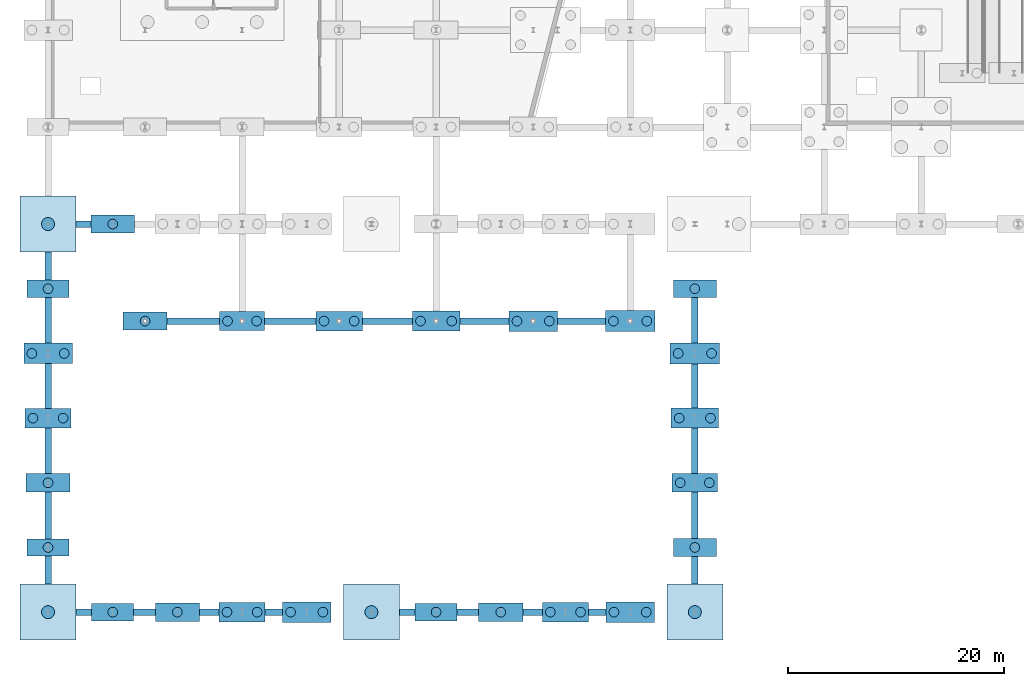
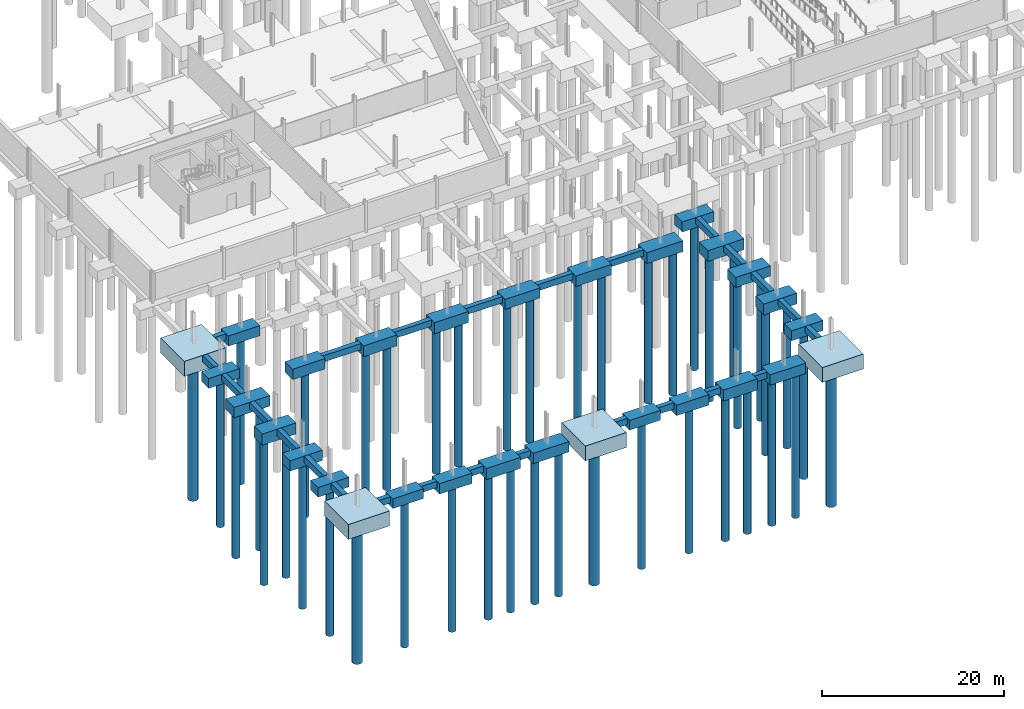
# One storey, part 1 of 42: 54 footings, 43 piles.
"""IFC4 building model written with IfcOpenShell, lengths in metres."""

from ifc_helpers import new_model, si_unit, direction, frame, origin, origin_2d, place, context, subcontext, project, spatial, rectangle, circle, extrude, material, material_profile, profile_set, type_object, element, save


model = new_model("IFC4")

# Units and contexts
model_context = context("Model", 3, precision=1e-05, world=origin(), true_north=direction((0.0, 1.0)))
body_context = subcontext(model_context, "Body", "Model", "MODEL_VIEW")
ifc_project = project(units=[si_unit("LENGTHUNIT", "METRE"), si_unit("AREAUNIT", "SQUARE_METRE"), si_unit("VOLUMEUNIT", "CUBIC_METRE"), si_unit("PLANEANGLEUNIT", "RADIAN"), si_unit("MASSUNIT", "GRAM", prefix="KILO")], contexts=[model_context])

# Site, building, storey
site_placement = place(None, origin())
site = spatial("IfcSite", under=ifc_project, at=site_placement, CompositionType="ELEMENT")
building_placement = place(site_placement, origin())
building = spatial("IfcBuilding", under=site, at=building_placement, Name="Deido Ridge Mobility Hub", CompositionType="ELEMENT")
storey_placement = place(building_placement, frame((0.0, 0.0, -4.199951171875)))
storey = spatial("IfcBuildingStorey", under=building, at=storey_placement, Name="B1", CompositionType="ELEMENT", Elevation=-4.199951171875)

# Footings
ifc_material = material(Name="Concrete C40/50", Category="concrete")
footing_type_1 = type_object("IfcFootingType", Name="FTG-PC-3900X1600X1300", PredefinedType="PILE_CAP", material=ifc_material)
for number, where, z_axis, x_axis, name in (
    (1, (6.0, 0.0, -1.30029296875), (0.0, 0.0, 1.0), (1.0, 0.0, 0.0), "Pile cap PC1"),
    (2, (36.0, 0.0, -1.30029296875), (0.0, 0.0, 1.0), (1.0, 0.0, 0.0), "Pile cap PC1"),
    (3, (0.0, 6.0, -1.30029296875), (0.0, 0.0, 1.0), (1.0, 0.0, 0.0), "Pile cap PC1"),
    (4, (0.0, 30.0, -1.30029296875), (0.0, 0.0, 1.0), (1.0, 0.0, 0.0), "Pile cap PC1"),
):
    element("IfcFooting", number, at=place(storey_placement, frame(where, z_axis=z_axis, x_axis=x_axis)), inside=storey, type_object=footing_type_1, Name=name, PredefinedType="PILE_CAP", context=body_context, shape_type="SweptSolid", body=[
        extrude(rectangle(XDim=3.89990234375, YDim=1.60009765625, at=origin_2d()), origin(), (0.0, 0.0, 1.0), 1.300048828125),
    ])
footing_type_2 = type_object("IfcFootingType", Name="FTG-PC-4000X1650X1350", PredefinedType="PILE_CAP", material=ifc_material)
for number, where, z_axis, x_axis, name in (
    (5, (6.0, 36.0, -1.35009765625), (0.0, 0.0, 1.0), (1.0, 0.0, 0.0), "Pile cap PC2"),
    (6, (60.0, 6.0, -1.35009765625), (0.0, 0.0, 1.0), (1.0, 0.0, 0.0), "Pile cap PC2"),
    (7, (60.0, 30.0, -1.35009765625), (0.0, 0.0, 1.0), (1.0, 0.0, 0.0), "Pile cap PC2"),
):
    element("IfcFooting", number, at=place(storey_placement, frame(where, z_axis=z_axis, x_axis=x_axis)), inside=storey, type_object=footing_type_2, Name=name, PredefinedType="PILE_CAP", context=body_context, shape_type="SweptSolid", body=[
        extrude(rectangle(XDim=4.0, YDim=1.64990234375, at=origin_2d()), origin(), (0.0, 0.0, 1.0), 1.35009765625),
    ])
footing_type_3 = type_object("IfcFootingType", Name="FTG-PC-4100X1700X1400", PredefinedType="PILE_CAP", material=ifc_material)
for number, where, z_axis, x_axis, name in (
    (8, (12.0, 0.0, -1.39990234375), (0.0, 0.0, 1.0), (1.0, 0.0, 0.0), "Pile cap PC3"),
    (9, (42.0, 0.0, -1.39990234375), (0.0, 0.0, 1.0), (1.0, 0.0, 0.0), "Pile cap PC3"),
    (10, (0.0, 12.0, -1.39990234375), (0.0, 0.0, 1.0), (1.0, 0.0, 0.0), "Pile cap PC3"),
    (11, (9.0, 27.0, -1.39990234375), (0.0, 0.0, 1.0), (1.0, 0.0, 0.0), "Pile cap PC3"),
):
    element("IfcFooting", number, at=place(storey_placement, frame(where, z_axis=z_axis, x_axis=x_axis)), inside=storey, type_object=footing_type_3, Name=name, PredefinedType="PILE_CAP", context=body_context, shape_type="SweptSolid", body=[
        extrude(rectangle(XDim=4.10009765625, YDim=1.699951171875, at=origin_2d()), origin(), (0.0, 0.0, 1.0), 1.39990234375),
    ])
footing_type_4 = type_object("IfcFootingType", Name="FTG-PC-4200X1750X1450", PredefinedType="PILE_CAP", material=ifc_material)
for number, where, z_axis, x_axis, name in (
    (12, (60.0, 12.0, -1.4501953125), (0.0, 0.0, 1.0), (1.0, 0.0, 0.0), "Pile cap PC4"),
    (13, (18.0, 27.0, -1.4501953125), (0.0, 0.0, 1.0), (1.0, 0.0, 0.0), "Pile cap PC4"),
):
    element("IfcFooting", number, at=place(storey_placement, frame(where, z_axis=z_axis, x_axis=x_axis)), inside=storey, type_object=footing_type_4, Name=name, PredefinedType="PILE_CAP", context=body_context, shape_type="SweptSolid", body=[
        extrude(rectangle(XDim=4.199951171875, YDim=1.75, at=origin_2d()), origin(), (0.0, 0.0, 1.0), 1.449951171875),
    ])
footing_type_5 = type_object("IfcFootingType", Name="FTG-PC-4300X1800X1500", PredefinedType="PILE_CAP", material=ifc_material)
for number, where, z_axis, x_axis, name in (
    (14, (18.0, 0.0, -1.5), (0.0, 0.0, 1.0), (1.0, 0.0, 0.0), "Pile cap PC5"),
    (15, (48.0, 0.0, -1.5), (0.0, 0.0, 1.0), (1.0, 0.0, 0.0), "Pile cap PC5"),
    (16, (0.0, 18.0, -1.5), (0.0, 0.0, 1.0), (1.0, 0.0, 0.0), "Pile cap PC5"),
    (17, (27.0, 27.0, -1.5), (0.0, 0.0, 1.0), (1.0, 0.0, 0.0), "Pile cap PC5"),
):
    element("IfcFooting", number, at=place(storey_placement, frame(where, z_axis=z_axis, x_axis=x_axis)), inside=storey, type_object=footing_type_5, Name=name, PredefinedType="PILE_CAP", context=body_context, shape_type="SweptSolid", body=[
        extrude(rectangle(XDim=4.300048828125, YDim=1.800048828125, at=origin_2d()), origin(), (0.0, 0.0, 1.0), 1.5),
    ])
footing_type_6 = type_object("IfcFootingType", Name="FTG-PC-4400X1850X1350", PredefinedType="PILE_CAP", material=ifc_material)
for number, where, z_axis, x_axis, name in (
    (18, (60.0, 18.0, -1.35009765625), (0.0, 0.0, 1.0), (1.0, 0.0, 0.0), "Pile cap PC6"),
    (19, (36.0, 27.0, -1.35009765625), (0.0, 0.0, 1.0), (1.0, 0.0, 0.0), "Pile cap PC6"),
):
    element("IfcFooting", number, at=place(storey_placement, frame(where, z_axis=z_axis, x_axis=x_axis)), inside=storey, type_object=footing_type_6, Name=name, PredefinedType="PILE_CAP", context=body_context, shape_type="SweptSolid", body=[
        extrude(rectangle(XDim=4.39990234375, YDim=1.85009765625, at=origin_2d()), origin(), (0.0, 0.0, 1.0), 1.35009765625),
    ])
footing_type_7 = type_object("IfcFootingType", Name="FTG-PC-4500X1900X1400", PredefinedType="PILE_CAP", material=ifc_material)
for number, where, z_axis, x_axis, name in (
    (20, (24.0, 0.0, -1.39990234375), (0.0, 0.0, 1.0), (1.0, 0.0, 0.0), "Pile cap PC7"),
    (21, (54.0, 0.0, -1.39990234375), (0.0, 0.0, 1.0), (1.0, 0.0, 0.0), "Pile cap PC7"),
    (22, (0.0, 24.0, -1.39990234375), (0.0, 0.0, 1.0), (1.0, 0.0, 0.0), "Pile cap PC7"),
    (23, (45.0, 27.0, -1.39990234375), (0.0, 0.0, 1.0), (1.0, 0.0, 0.0), "Pile cap PC7"),
):
    element("IfcFooting", number, at=place(storey_placement, frame(where, z_axis=z_axis, x_axis=x_axis)), inside=storey, type_object=footing_type_7, Name=name, PredefinedType="PILE_CAP", context=body_context, shape_type="SweptSolid", body=[
        extrude(rectangle(XDim=4.5, YDim=1.89990234375, at=origin_2d()), origin(), (0.0, 0.0, 1.0), 1.39990234375),
    ])
footing_type_8 = type_object("IfcFootingType", Name="FTG-PC-4600X1950X1450", PredefinedType="PILE_CAP", material=ifc_material)
for number, where, z_axis, x_axis, name in (
    (24, (60.0, 24.0, -1.4501953125), (0.0, 0.0, 1.0), (1.0, 0.0, 0.0), "Pile cap PC8"),
    (25, (54.0, 27.0, -1.4501953125), (0.0, 0.0, 1.0), (1.0, 0.0, 0.0), "Pile cap PC8"),
):
    element("IfcFooting", number, at=place(storey_placement, frame(where, z_axis=z_axis, x_axis=x_axis)), inside=storey, type_object=footing_type_8, Name=name, PredefinedType="PILE_CAP", context=body_context, shape_type="SweptSolid", body=[
        extrude(rectangle(XDim=4.60009765625, YDim=1.949951171875, at=origin_2d()), origin(), (0.0, 0.0, 1.0), 1.449951171875),
    ])
footing_type_9 = type_object("IfcFootingType", Name="FTG-PC-MC1", PredefinedType="PILE_CAP", material=ifc_material)
footing_1_placement = place(storey_placement, frame((0.0, 0.0, -2.0), z_axis=(0.0, 0.0, 1.0), x_axis=(1.0, 0.0, 0.0)))
element("IfcFooting", 26, at=footing_1_placement, inside=storey, type_object=footing_type_9, Name="Pile cap PC-MC1", PredefinedType="PILE_CAP", context=body_context, shape_type="SweptSolid", body=[
    extrude(rectangle(XDim=5.199951171875, YDim=5.199951171875, at=origin_2d()), origin(), (0.0, 0.0, 1.0), 2.0),
])
footing_type_10 = type_object("IfcFootingType", Name="FTG-PC-MC2", PredefinedType="PILE_CAP", material=ifc_material)
footing_2_placement = place(storey_placement, frame((60.0, 0.0, -2.0), z_axis=(0.0, 0.0, 1.0), x_axis=(1.0, 0.0, 0.0)))
element("IfcFooting", 27, at=footing_2_placement, inside=storey, type_object=footing_type_10, Name="Pile cap PC-MC2", PredefinedType="PILE_CAP", context=body_context, shape_type="SweptSolid", body=[
    extrude(rectangle(XDim=5.199951171875, YDim=5.199951171875, at=origin_2d()), origin(), (0.0, 0.0, 1.0), 2.0),
])
footing_type_11 = type_object("IfcFootingType", Name="FTG-PC-MC4", PredefinedType="PILE_CAP", material=ifc_material)
footing_3_placement = place(storey_placement, frame((0.0, 36.0, -2.0), z_axis=(0.0, 0.0, 1.0), x_axis=(1.0, 0.0, 0.0)))
element("IfcFooting", 28, at=footing_3_placement, inside=storey, type_object=footing_type_11, Name="Pile cap PC-MC4", PredefinedType="PILE_CAP", context=body_context, shape_type="SweptSolid", body=[
    extrude(rectangle(XDim=5.199951171875, YDim=5.199951171875, at=origin_2d()), origin(), (0.0, 0.0, 1.0), 2.0),
])
footing_type_12 = type_object("IfcFootingType", Name="FTG-PC-MC5", PredefinedType="PILE_CAP", material=ifc_material)
footing_4_placement = place(storey_placement, frame((30.0, 0.0, -2.0), z_axis=(0.0, 0.0, 1.0), x_axis=(1.0, 0.0, 0.0)))
element("IfcFooting", 29, at=footing_4_placement, inside=storey, type_object=footing_type_12, Name="Pile cap PC-MC5", PredefinedType="PILE_CAP", context=body_context, shape_type="SweptSolid", body=[
    extrude(rectangle(XDim=5.199951171875, YDim=5.199951171875, at=origin_2d()), origin(), (0.0, 0.0, 1.0), 2.0),
])
ifc_material_profile_1 = material_profile(ifc_material, rectangle(XDim=0.60009765625, YDim=0.85009765625, at=origin_2d()), Name="RC GB 600x850")
ifc_profile_set_1 = profile_set([ifc_material_profile_1], Name="Concrete C40/50")
footing_type_13 = type_object("IfcFootingType", Name="GB-RC600X850", PredefinedType="FOOTING_BEAM", material=ifc_profile_set_1)
footing_5_placement = place(storey_placement, frame((2.60009765625, 0.0, -0.425048828125), z_axis=(1.0, 0.0, 0.0), x_axis=(0.0, 1.0, 0.0)))
element("IfcFooting", 30, at=footing_5_placement, inside=storey, type_object=footing_type_13, Name="Ground beam GB1", PredefinedType="FOOTING_BEAM", context=body_context, shape_type="SweptSolid", body=[
    extrude(rectangle(XDim=0.60009765625, YDim=0.85009765625, at=origin_2d()), origin(), (0.0, 0.0, 1.0), 1.449951171875),
])
footing_6_placement = place(storey_placement, frame((7.949951171875, 0.0, -0.425048828125), z_axis=(1.0, 0.0, 0.0), x_axis=(0.0, 1.0, 0.0)))
element("IfcFooting", 31, at=footing_6_placement, inside=storey, type_object=footing_type_13, Name="Ground beam GB1", PredefinedType="FOOTING_BEAM", context=body_context, shape_type="SweptSolid", body=[
    extrude(rectangle(XDim=0.60009765625, YDim=0.85009765625, at=origin_2d()), origin(), (0.0, 0.0, 1.0), 2.0),
])
footing_7_placement = place(storey_placement, frame((14.050048828125, 0.0, -0.425048828125), z_axis=(1.0, 0.0, 0.0), x_axis=(0.0, 1.0, 0.0)))
element("IfcFooting", 32, at=footing_7_placement, inside=storey, type_object=footing_type_13, Name="Ground beam GB1", PredefinedType="FOOTING_BEAM", context=body_context, shape_type="SweptSolid", body=[
    extrude(rectangle(XDim=0.60009765625, YDim=0.85009765625, at=origin_2d()), origin(), (0.0, 0.0, 1.0), 1.800048828125),
])
footing_8_placement = place(storey_placement, frame((20.14990234375, 0.0, -0.425048828125), z_axis=(1.0, 0.0, 0.0), x_axis=(0.0, 1.0, 0.0)))
element("IfcFooting", 33, at=footing_8_placement, inside=storey, type_object=footing_type_13, Name="Ground beam GB1", PredefinedType="FOOTING_BEAM", context=body_context, shape_type="SweptSolid", body=[
    extrude(rectangle(XDim=0.60009765625, YDim=0.85009765625, at=origin_2d()), origin(), (0.0, 0.0, 1.0), 1.60009765625),
])
footing_9_placement = place(storey_placement, frame((32.60009765625, 0.0, -0.425048828125), z_axis=(1.0, 0.0, 0.0), x_axis=(0.0, 1.0, 0.0)))
element("IfcFooting", 34, at=footing_9_placement, inside=storey, type_object=footing_type_13, Name="Ground beam GB1", PredefinedType="FOOTING_BEAM", context=body_context, shape_type="SweptSolid", body=[
    extrude(rectangle(XDim=0.60009765625, YDim=0.85009765625, at=origin_2d()), origin(), (0.0, 0.0, 1.0), 1.449951171875),
])
footing_10_placement = place(storey_placement, frame((37.949951171875, 0.0, -0.425048828125), z_axis=(1.0, 0.0, 0.0), x_axis=(0.0, 1.0, 0.0)))
element("IfcFooting", 35, at=footing_10_placement, inside=storey, type_object=footing_type_13, Name="Ground beam GB1", PredefinedType="FOOTING_BEAM", context=body_context, shape_type="SweptSolid", body=[
    extrude(rectangle(XDim=0.60009765625, YDim=0.85009765625, at=origin_2d()), origin(), (0.0, 0.0, 1.0), 2.0),
])
footing_11_placement = place(storey_placement, frame((44.050048828125, 0.0, -0.425048828125), z_axis=(1.0, 0.0, 0.0), x_axis=(0.0, 1.0, 0.0)))
element("IfcFooting", 36, at=footing_11_placement, inside=storey, type_object=footing_type_13, Name="Ground beam GB1", PredefinedType="FOOTING_BEAM", context=body_context, shape_type="SweptSolid", body=[
    extrude(rectangle(XDim=0.60009765625, YDim=0.85009765625, at=origin_2d()), origin(), (0.0, 0.0, 1.0), 1.800048828125),
])
footing_12_placement = place(storey_placement, frame((50.14990234375, 0.0, -0.425048828125), z_axis=(1.0, 0.0, 0.0), x_axis=(0.0, 1.0, 0.0)))
element("IfcFooting", 37, at=footing_12_placement, inside=storey, type_object=footing_type_13, Name="Ground beam GB1", PredefinedType="FOOTING_BEAM", context=body_context, shape_type="SweptSolid", body=[
    extrude(rectangle(XDim=0.60009765625, YDim=0.85009765625, at=origin_2d()), origin(), (0.0, 0.0, 1.0), 1.60009765625),
])
footing_13_placement = place(storey_placement, frame((2.60009765625, 36.0, -0.425048828125), z_axis=(1.0, 0.0, 0.0), x_axis=(0.0, 1.0, 0.0)))
element("IfcFooting", 38, at=footing_13_placement, inside=storey, type_object=footing_type_13, Name="Ground beam GB1", PredefinedType="FOOTING_BEAM", context=body_context, shape_type="SweptSolid", body=[
    extrude(rectangle(XDim=0.60009765625, YDim=0.85009765625, at=origin_2d()), origin(), (0.0, 0.0, 1.0), 1.39990234375),
])
footing_14_placement = place(storey_placement, frame((11.050048828125, 27.0, -0.425048828125), z_axis=(1.0, 0.0, 0.0), x_axis=(0.0, 1.0, 0.0)))
element("IfcFooting", 39, at=footing_14_placement, inside=storey, type_object=footing_type_13, Name="Ground beam GB1", PredefinedType="FOOTING_BEAM", context=body_context, shape_type="SweptSolid", body=[
    extrude(rectangle(XDim=0.60009765625, YDim=0.85009765625, at=origin_2d()), origin(), (0.0, 0.0, 1.0), 4.849853515625),
])
footing_15_placement = place(storey_placement, frame((20.10009765625, 27.0, -0.425048828125), z_axis=(1.0, 0.0, 0.0), x_axis=(0.0, 1.0, 0.0)))
element("IfcFooting", 40, at=footing_15_placement, inside=storey, type_object=footing_type_13, Name="Ground beam GB1", PredefinedType="FOOTING_BEAM", context=body_context, shape_type="SweptSolid", body=[
    extrude(rectangle(XDim=0.60009765625, YDim=0.85009765625, at=origin_2d()), origin(), (0.0, 0.0, 1.0), 4.75),
])
footing_16_placement = place(storey_placement, frame((29.14990234375, 27.0, -0.425048828125), z_axis=(1.0, 0.0, 0.0), x_axis=(0.0, 1.0, 0.0)))
element("IfcFooting", 41, at=footing_16_placement, inside=storey, type_object=footing_type_13, Name="Ground beam GB1", PredefinedType="FOOTING_BEAM", context=body_context, shape_type="SweptSolid", body=[
    extrude(rectangle(XDim=0.60009765625, YDim=0.85009765625, at=origin_2d()), origin(), (0.0, 0.0, 1.0), 4.650146484375),
])
footing_17_placement = place(storey_placement, frame((38.199951171875, 27.0, -0.425048828125), z_axis=(1.0, 0.0, 0.0), x_axis=(0.0, 1.0, 0.0)))
element("IfcFooting", 42, at=footing_17_placement, inside=storey, type_object=footing_type_13, Name="Ground beam GB1", PredefinedType="FOOTING_BEAM", context=body_context, shape_type="SweptSolid", body=[
    extrude(rectangle(XDim=0.60009765625, YDim=0.85009765625, at=origin_2d()), origin(), (0.0, 0.0, 1.0), 4.550048828125),
])
footing_18_placement = place(storey_placement, frame((47.25, 27.0, -0.425048828125), z_axis=(1.0, 0.0, 0.0), x_axis=(0.0, 1.0, 0.0)))
element("IfcFooting", 43, at=footing_18_placement, inside=storey, type_object=footing_type_13, Name="Ground beam GB1", PredefinedType="FOOTING_BEAM", context=body_context, shape_type="SweptSolid", body=[
    extrude(rectangle(XDim=0.60009765625, YDim=0.85009765625, at=origin_2d()), origin(), (0.0, 0.0, 1.0), 4.449951171875),
])
footing_19_placement = place(storey_placement, frame((0.0, 2.60009765625, -0.425048828125), z_axis=(0.0, 1.0, 0.0), x_axis=(-1.0, 0.0, 0.0)))
element("IfcFooting", 44, at=footing_19_placement, inside=storey, type_object=footing_type_13, Name="Ground beam GB1", PredefinedType="FOOTING_BEAM", context=body_context, shape_type="SweptSolid", body=[
    extrude(rectangle(XDim=0.60009765625, YDim=0.85009765625, at=origin_2d()), origin(), (0.0, 0.0, 1.0), 2.599853515625),
])
footing_20_placement = place(storey_placement, frame((0.0, 6.800048828125, -0.425048828125), z_axis=(0.0, 1.0, 0.0), x_axis=(-1.0, 0.0, 0.0)))
element("IfcFooting", 45, at=footing_20_placement, inside=storey, type_object=footing_type_13, Name="Ground beam GB1", PredefinedType="FOOTING_BEAM", context=body_context, shape_type="SweptSolid", body=[
    extrude(rectangle(XDim=0.60009765625, YDim=0.85009765625, at=origin_2d()), origin(), (0.0, 0.0, 1.0), 4.349853515625),
])
footing_21_placement = place(storey_placement, frame((0.0, 12.85009765625, -0.425048828125), z_axis=(0.0, 1.0, 0.0), x_axis=(-1.0, 0.0, 0.0)))
element("IfcFooting", 46, at=footing_21_placement, inside=storey, type_object=footing_type_13, Name="Ground beam GB1", PredefinedType="FOOTING_BEAM", context=body_context, shape_type="SweptSolid", body=[
    extrude(rectangle(XDim=0.60009765625, YDim=0.85009765625, at=origin_2d()), origin(), (0.0, 0.0, 1.0), 4.25),
])
footing_22_placement = place(storey_placement, frame((0.0, 18.89990234375, -0.425048828125), z_axis=(0.0, 1.0, 0.0), x_axis=(-1.0, 0.0, 0.0)))
element("IfcFooting", 47, at=footing_22_placement, inside=storey, type_object=footing_type_13, Name="Ground beam GB1", PredefinedType="FOOTING_BEAM", context=body_context, shape_type="SweptSolid", body=[
    extrude(rectangle(XDim=0.60009765625, YDim=0.85009765625, at=origin_2d()), origin(), (0.0, 0.0, 1.0), 4.150146484375),
])
footing_23_placement = place(storey_placement, frame((0.0, 24.949951171875, -0.425048828125), z_axis=(0.0, 1.0, 0.0), x_axis=(-1.0, 0.0, 0.0)))
element("IfcFooting", 48, at=footing_23_placement, inside=storey, type_object=footing_type_13, Name="Ground beam GB1", PredefinedType="FOOTING_BEAM", context=body_context, shape_type="SweptSolid", body=[
    extrude(rectangle(XDim=0.60009765625, YDim=0.85009765625, at=origin_2d()), origin(), (0.0, 0.0, 1.0), 4.25),
])
footing_24_placement = place(storey_placement, frame((0.0, 30.800048828125, -0.425048828125), z_axis=(0.0, 1.0, 0.0), x_axis=(-1.0, 0.0, 0.0)))
element("IfcFooting", 49, at=footing_24_placement, inside=storey, type_object=footing_type_13, Name="Ground beam GB1", PredefinedType="FOOTING_BEAM", context=body_context, shape_type="SweptSolid", body=[
    extrude(rectangle(XDim=0.60009765625, YDim=0.85009765625, at=origin_2d()), origin(), (0.0, 0.0, 1.0), 2.599853515625),
])
footing_25_placement = place(storey_placement, frame((60.0, 2.60009765625, -0.425048828125), z_axis=(0.0, 1.0, 0.0), x_axis=(-1.0, 0.0, 0.0)))
element("IfcFooting", 50, at=footing_25_placement, inside=storey, type_object=footing_type_13, Name="Ground beam GB1", PredefinedType="FOOTING_BEAM", context=body_context, shape_type="SweptSolid", body=[
    extrude(rectangle(XDim=0.60009765625, YDim=0.85009765625, at=origin_2d()), origin(), (0.0, 0.0, 1.0), 2.574951171875),
])
footing_26_placement = place(storey_placement, frame((60.0, 6.824951171875, -0.425048828125), z_axis=(0.0, 1.0, 0.0), x_axis=(-1.0, 0.0, 0.0)))
element("IfcFooting", 51, at=footing_26_placement, inside=storey, type_object=footing_type_13, Name="Ground beam GB1", PredefinedType="FOOTING_BEAM", context=body_context, shape_type="SweptSolid", body=[
    extrude(rectangle(XDim=0.60009765625, YDim=0.85009765625, at=origin_2d()), origin(), (0.0, 0.0, 1.0), 4.300048828125),
])
footing_27_placement = place(storey_placement, frame((60.0, 12.875, -0.425048828125), z_axis=(0.0, 1.0, 0.0), x_axis=(-1.0, 0.0, 0.0)))
element("IfcFooting", 52, at=footing_27_placement, inside=storey, type_object=footing_type_13, Name="Ground beam GB1", PredefinedType="FOOTING_BEAM", context=body_context, shape_type="SweptSolid", body=[
    extrude(rectangle(XDim=0.60009765625, YDim=0.85009765625, at=origin_2d()), origin(), (0.0, 0.0, 1.0), 4.199951171875),
])
footing_28_placement = place(storey_placement, frame((60.0, 18.925048828125, -0.425048828125), z_axis=(0.0, 1.0, 0.0), x_axis=(-1.0, 0.0, 0.0)))
element("IfcFooting", 53, at=footing_28_placement, inside=storey, type_object=footing_type_13, Name="Ground beam GB1", PredefinedType="FOOTING_BEAM", context=body_context, shape_type="SweptSolid", body=[
    extrude(rectangle(XDim=0.60009765625, YDim=0.85009765625, at=origin_2d()), origin(), (0.0, 0.0, 1.0), 4.099853515625),
])
footing_29_placement = place(storey_placement, frame((60.0, 24.97509765625, -0.425048828125), z_axis=(0.0, 1.0, 0.0), x_axis=(-1.0, 0.0, 0.0)))
element("IfcFooting", 54, at=footing_29_placement, inside=storey, type_object=footing_type_13, Name="Ground beam GB1", PredefinedType="FOOTING_BEAM", context=body_context, shape_type="SweptSolid", body=[
    extrude(rectangle(XDim=0.60009765625, YDim=0.85009765625, at=origin_2d()), origin(), (0.0, 0.0, 1.0), 4.199951171875),
])

# Piles
ifc_material_profile_2 = material_profile(ifc_material, circle(Radius=0.60009765625, at=origin_2d()), Name="BORED PILE D1200")
ifc_profile_set_2 = profile_set([ifc_material_profile_2], Name="Concrete C40/50")
pile_type_1 = type_object("IfcPileType", Name="PILE-BORED-D1200", PredefinedType="BORED", material=ifc_profile_set_2)
for number, where, z_axis, x_axis, name in (
    (55, (0.0, 0.0, -1.85009765625), (0.0, 0.0, -1.0), (1.0, 0.0, 0.0), "Bored pile P2"),
    (56, (60.0, 0.0, -1.85009765625), (0.0, 0.0, -1.0), (1.0, 0.0, 0.0), "Bored pile P2"),
    (57, (0.0, 36.0, -1.85009765625), (0.0, 0.0, -1.0), (1.0, 0.0, 0.0), "Bored pile P2"),
    (58, (30.0, 0.0, -1.85009765625), (0.0, 0.0, -1.0), (1.0, 0.0, 0.0), "Bored pile P2"),
):
    element("IfcPile", number, at=place(storey_placement, frame(where, z_axis=z_axis, x_axis=x_axis)), inside=storey, type_object=pile_type_1, Name=name, PredefinedType="BORED", context=body_context, shape_type="SweptSolid", body=[
        extrude(circle(Radius=0.60009765625, at=origin_2d()), origin(), (0.0, 0.0, 1.0), 18.949951171875),
    ])
ifc_material_profile_3 = material_profile(ifc_material, circle(Radius=0.449951171875, at=origin_2d()), Name="BORED PILE D900")
ifc_profile_set_3 = profile_set([ifc_material_profile_3], Name="Concrete C40/50")
pile_type_2 = type_object("IfcPileType", Name="PILE-BORED-D900", PredefinedType="BORED", material=ifc_profile_set_3)
pile_1_placement = place(storey_placement, frame((6.0, 0.0, -1.150146484375), z_axis=(0.0, 0.0, -1.0), x_axis=(1.0, 0.0, 0.0)))
element("IfcPile", 59, at=pile_1_placement, inside=storey, type_object=pile_type_2, Name="Bored pile P1", PredefinedType="BORED", context=body_context, shape_type="SweptSolid", body=[
    extrude(circle(Radius=0.449951171875, at=origin_2d()), origin(), (0.0, 0.0, 1.0), 19.64990234375),
])
pile_2_placement = place(storey_placement, frame((6.0, 36.0, -1.199951171875), z_axis=(0.0, 0.0, -1.0), x_axis=(1.0, 0.0, 0.0)))
element("IfcPile", 60, at=pile_2_placement, inside=storey, type_object=pile_type_2, Name="Bored pile P1", PredefinedType="BORED", context=body_context, shape_type="SweptSolid", body=[
    extrude(circle(Radius=0.449951171875, at=origin_2d()), origin(), (0.0, 0.0, 1.0), 19.60009765625),
])
pile_3_placement = place(storey_placement, frame((12.0, 0.0, -1.25), z_axis=(0.0, 0.0, -1.0), x_axis=(1.0, 0.0, 0.0)))
element("IfcPile", 61, at=pile_3_placement, inside=storey, type_object=pile_type_2, Name="Bored pile P1", PredefinedType="BORED", context=body_context, shape_type="SweptSolid", body=[
    extrude(circle(Radius=0.449951171875, at=origin_2d()), origin(), (0.0, 0.0, 1.0), 19.550048828125),
])
for number, where, z_axis, x_axis, name in (
    (62, (16.60009765625, 0.0, -1.35009765625), (0.0, 0.0, -1.0), (1.0, 0.0, 0.0), "Bored pile P1"),
    (63, (19.39990234375, 0.0, -1.35009765625), (0.0, 0.0, -1.0), (1.0, 0.0, 0.0), "Bored pile P1"),
):
    element("IfcPile", number, at=place(storey_placement, frame(where, z_axis=z_axis, x_axis=x_axis)), inside=storey, type_object=pile_type_2, Name=name, PredefinedType="BORED", context=body_context, shape_type="SweptSolid", body=[
        extrude(circle(Radius=0.449951171875, at=origin_2d()), origin(), (0.0, 0.0, 1.0), 19.449951171875),
    ])
for number, where, z_axis, x_axis, name in (
    (64, (22.5, 0.0, -1.25), (0.0, 0.0, -1.0), (1.0, 0.0, 0.0), "Bored pile P1"),
    (65, (25.5, 0.0, -1.25), (0.0, 0.0, -1.0), (1.0, 0.0, 0.0), "Bored pile P1"),
):
    element("IfcPile", number, at=place(storey_placement, frame(where, z_axis=z_axis, x_axis=x_axis)), inside=storey, type_object=pile_type_2, Name=name, PredefinedType="BORED", context=body_context, shape_type="SweptSolid", body=[
        extrude(circle(Radius=0.449951171875, at=origin_2d()), origin(), (0.0, 0.0, 1.0), 19.550048828125),
    ])
pile_4_placement = place(storey_placement, frame((36.0, 0.0, -1.150146484375), z_axis=(0.0, 0.0, -1.0), x_axis=(1.0, 0.0, 0.0)))
element("IfcPile", 66, at=pile_4_placement, inside=storey, type_object=pile_type_2, Name="Bored pile P1", PredefinedType="BORED", context=body_context, shape_type="SweptSolid", body=[
    extrude(circle(Radius=0.449951171875, at=origin_2d()), origin(), (0.0, 0.0, 1.0), 19.64990234375),
])
pile_5_placement = place(storey_placement, frame((42.0, 0.0, -1.25), z_axis=(0.0, 0.0, -1.0), x_axis=(1.0, 0.0, 0.0)))
element("IfcPile", 67, at=pile_5_placement, inside=storey, type_object=pile_type_2, Name="Bored pile P1", PredefinedType="BORED", context=body_context, shape_type="SweptSolid", body=[
    extrude(circle(Radius=0.449951171875, at=origin_2d()), origin(), (0.0, 0.0, 1.0), 19.550048828125),
])
for number, where, z_axis, x_axis, name in (
    (68, (46.60009765625, 0.0, -1.35009765625), (0.0, 0.0, -1.0), (1.0, 0.0, 0.0), "Bored pile P1"),
    (69, (49.39990234375, 0.0, -1.35009765625), (0.0, 0.0, -1.0), (1.0, 0.0, 0.0), "Bored pile P1"),
):
    element("IfcPile", number, at=place(storey_placement, frame(where, z_axis=z_axis, x_axis=x_axis)), inside=storey, type_object=pile_type_2, Name=name, PredefinedType="BORED", context=body_context, shape_type="SweptSolid", body=[
        extrude(circle(Radius=0.449951171875, at=origin_2d()), origin(), (0.0, 0.0, 1.0), 19.449951171875),
    ])
for number, where, z_axis, x_axis, name in (
    (70, (52.5, 0.0, -1.25), (0.0, 0.0, -1.0), (1.0, 0.0, 0.0), "Bored pile P1"),
    (71, (55.5, 0.0, -1.25), (0.0, 0.0, -1.0), (1.0, 0.0, 0.0), "Bored pile P1"),
):
    element("IfcPile", number, at=place(storey_placement, frame(where, z_axis=z_axis, x_axis=x_axis)), inside=storey, type_object=pile_type_2, Name=name, PredefinedType="BORED", context=body_context, shape_type="SweptSolid", body=[
        extrude(circle(Radius=0.449951171875, at=origin_2d()), origin(), (0.0, 0.0, 1.0), 19.550048828125),
    ])
pile_6_placement = place(storey_placement, frame((0.0, 6.0, -1.150146484375), z_axis=(0.0, 0.0, -1.0), x_axis=(1.0, 0.0, 0.0)))
element("IfcPile", 72, at=pile_6_placement, inside=storey, type_object=pile_type_2, Name="Bored pile P1", PredefinedType="BORED", context=body_context, shape_type="SweptSolid", body=[
    extrude(circle(Radius=0.449951171875, at=origin_2d()), origin(), (0.0, 0.0, 1.0), 19.64990234375),
])
pile_7_placement = place(storey_placement, frame((60.0, 6.0, -1.199951171875), z_axis=(0.0, 0.0, -1.0), x_axis=(1.0, 0.0, 0.0)))
element("IfcPile", 73, at=pile_7_placement, inside=storey, type_object=pile_type_2, Name="Bored pile P1", PredefinedType="BORED", context=body_context, shape_type="SweptSolid", body=[
    extrude(circle(Radius=0.449951171875, at=origin_2d()), origin(), (0.0, 0.0, 1.0), 19.60009765625),
])
pile_8_placement = place(storey_placement, frame((0.0, 12.0, -1.25), z_axis=(0.0, 0.0, -1.0), x_axis=(1.0, 0.0, 0.0)))
element("IfcPile", 74, at=pile_8_placement, inside=storey, type_object=pile_type_2, Name="Bored pile P1", PredefinedType="BORED", context=body_context, shape_type="SweptSolid", body=[
    extrude(circle(Radius=0.449951171875, at=origin_2d()), origin(), (0.0, 0.0, 1.0), 19.550048828125),
])
for number, where, z_axis, x_axis, name in (
    (75, (58.64990234375, 12.0, -1.300048828125), (0.0, 0.0, -1.0), (1.0, 0.0, 0.0), "Bored pile P1"),
    (76, (61.35009765625, 12.0, -1.300048828125), (0.0, 0.0, -1.0), (1.0, 0.0, 0.0), "Bored pile P1"),
):
    element("IfcPile", number, at=place(storey_placement, frame(where, z_axis=z_axis, x_axis=x_axis)), inside=storey, type_object=pile_type_2, Name=name, PredefinedType="BORED", context=body_context, shape_type="SweptSolid", body=[
        extrude(circle(Radius=0.449951171875, at=origin_2d()), origin(), (0.0, 0.0, 1.0), 19.5),
    ])
for number, where, z_axis, x_axis, name in (
    (77, (-1.39990234375, 18.0, -1.35009765625), (0.0, 0.0, -1.0), (1.0, 0.0, 0.0), "Bored pile P1"),
    (78, (1.39990234375, 18.0, -1.35009765625), (0.0, 0.0, -1.0), (1.0, 0.0, 0.0), "Bored pile P1"),
):
    element("IfcPile", number, at=place(storey_placement, frame(where, z_axis=z_axis, x_axis=x_axis)), inside=storey, type_object=pile_type_2, Name=name, PredefinedType="BORED", context=body_context, shape_type="SweptSolid", body=[
        extrude(circle(Radius=0.449951171875, at=origin_2d()), origin(), (0.0, 0.0, 1.0), 19.449951171875),
    ])
for number, where, z_axis, x_axis, name in (
    (79, (58.550048828125, 18.0, -1.199951171875), (0.0, 0.0, -1.0), (1.0, 0.0, 0.0), "Bored pile P1"),
    (80, (61.449951171875, 18.0, -1.199951171875), (0.0, 0.0, -1.0), (1.0, 0.0, 0.0), "Bored pile P1"),
):
    element("IfcPile", number, at=place(storey_placement, frame(where, z_axis=z_axis, x_axis=x_axis)), inside=storey, type_object=pile_type_2, Name=name, PredefinedType="BORED", context=body_context, shape_type="SweptSolid", body=[
        extrude(circle(Radius=0.449951171875, at=origin_2d()), origin(), (0.0, 0.0, 1.0), 19.60009765625),
    ])
for number, where, z_axis, x_axis, name in (
    (81, (-1.5, 24.0, -1.25), (0.0, 0.0, -1.0), (1.0, 0.0, 0.0), "Bored pile P1"),
    (82, (1.5, 24.0, -1.25), (0.0, 0.0, -1.0), (1.0, 0.0, 0.0), "Bored pile P1"),
):
    element("IfcPile", number, at=place(storey_placement, frame(where, z_axis=z_axis, x_axis=x_axis)), inside=storey, type_object=pile_type_2, Name=name, PredefinedType="BORED", context=body_context, shape_type="SweptSolid", body=[
        extrude(circle(Radius=0.449951171875, at=origin_2d()), origin(), (0.0, 0.0, 1.0), 19.550048828125),
    ])
for number, where, z_axis, x_axis, name in (
    (83, (58.449951171875, 24.0, -1.300048828125), (0.0, 0.0, -1.0), (1.0, 0.0, 0.0), "Bored pile P1"),
    (84, (61.550048828125, 24.0, -1.300048828125), (0.0, 0.0, -1.0), (1.0, 0.0, 0.0), "Bored pile P1"),
):
    element("IfcPile", number, at=place(storey_placement, frame(where, z_axis=z_axis, x_axis=x_axis)), inside=storey, type_object=pile_type_2, Name=name, PredefinedType="BORED", context=body_context, shape_type="SweptSolid", body=[
        extrude(circle(Radius=0.449951171875, at=origin_2d()), origin(), (0.0, 0.0, 1.0), 19.5),
    ])
pile_9_placement = place(storey_placement, frame((0.0, 30.0, -1.150146484375), z_axis=(0.0, 0.0, -1.0), x_axis=(1.0, 0.0, 0.0)))
element("IfcPile", 85, at=pile_9_placement, inside=storey, type_object=pile_type_2, Name="Bored pile P1", PredefinedType="BORED", context=body_context, shape_type="SweptSolid", body=[
    extrude(circle(Radius=0.449951171875, at=origin_2d()), origin(), (0.0, 0.0, 1.0), 19.64990234375),
])
pile_10_placement = place(storey_placement, frame((60.0, 30.0, -1.199951171875), z_axis=(0.0, 0.0, -1.0), x_axis=(1.0, 0.0, 0.0)))
element("IfcPile", 86, at=pile_10_placement, inside=storey, type_object=pile_type_2, Name="Bored pile P1", PredefinedType="BORED", context=body_context, shape_type="SweptSolid", body=[
    extrude(circle(Radius=0.449951171875, at=origin_2d()), origin(), (0.0, 0.0, 1.0), 19.60009765625),
])
pile_11_placement = place(storey_placement, frame((9.0, 27.0, -1.25), z_axis=(0.0, 0.0, -1.0), x_axis=(1.0, 0.0, 0.0)))
element("IfcPile", 87, at=pile_11_placement, inside=storey, type_object=pile_type_2, Name="Bored pile P1", PredefinedType="BORED", context=body_context, shape_type="SweptSolid", body=[
    extrude(circle(Radius=0.449951171875, at=origin_2d()), origin(), (0.0, 0.0, 1.0), 19.550048828125),
])
for number, where, z_axis, x_axis, name in (
    (88, (16.64990234375, 27.0, -1.300048828125), (0.0, 0.0, -1.0), (1.0, 0.0, 0.0), "Bored pile P1"),
    (89, (19.35009765625, 27.0, -1.300048828125), (0.0, 0.0, -1.0), (1.0, 0.0, 0.0), "Bored pile P1"),
):
    element("IfcPile", number, at=place(storey_placement, frame(where, z_axis=z_axis, x_axis=x_axis)), inside=storey, type_object=pile_type_2, Name=name, PredefinedType="BORED", context=body_context, shape_type="SweptSolid", body=[
        extrude(circle(Radius=0.449951171875, at=origin_2d()), origin(), (0.0, 0.0, 1.0), 19.5),
    ])
for number, where, z_axis, x_axis, name in (
    (90, (25.60009765625, 27.0, -1.35009765625), (0.0, 0.0, -1.0), (1.0, 0.0, 0.0), "Bored pile P1"),
    (91, (28.39990234375, 27.0, -1.35009765625), (0.0, 0.0, -1.0), (1.0, 0.0, 0.0), "Bored pile P1"),
):
    element("IfcPile", number, at=place(storey_placement, frame(where, z_axis=z_axis, x_axis=x_axis)), inside=storey, type_object=pile_type_2, Name=name, PredefinedType="BORED", context=body_context, shape_type="SweptSolid", body=[
        extrude(circle(Radius=0.449951171875, at=origin_2d()), origin(), (0.0, 0.0, 1.0), 19.449951171875),
    ])
for number, where, z_axis, x_axis, name in (
    (92, (34.550048828125, 27.0, -1.199951171875), (0.0, 0.0, -1.0), (1.0, 0.0, 0.0), "Bored pile P1"),
    (93, (37.449951171875, 27.0, -1.199951171875), (0.0, 0.0, -1.0), (1.0, 0.0, 0.0), "Bored pile P1"),
):
    element("IfcPile", number, at=place(storey_placement, frame(where, z_axis=z_axis, x_axis=x_axis)), inside=storey, type_object=pile_type_2, Name=name, PredefinedType="BORED", context=body_context, shape_type="SweptSolid", body=[
        extrude(circle(Radius=0.449951171875, at=origin_2d()), origin(), (0.0, 0.0, 1.0), 19.60009765625),
    ])
for number, where, z_axis, x_axis, name in (
    (94, (43.5, 27.0, -1.25), (0.0, 0.0, -1.0), (1.0, 0.0, 0.0), "Bored pile P1"),
    (95, (46.5, 27.0, -1.25), (0.0, 0.0, -1.0), (1.0, 0.0, 0.0), "Bored pile P1"),
):
    element("IfcPile", number, at=place(storey_placement, frame(where, z_axis=z_axis, x_axis=x_axis)), inside=storey, type_object=pile_type_2, Name=name, PredefinedType="BORED", context=body_context, shape_type="SweptSolid", body=[
        extrude(circle(Radius=0.449951171875, at=origin_2d()), origin(), (0.0, 0.0, 1.0), 19.550048828125),
    ])
for number, where, z_axis, x_axis, name in (
    (96, (52.449951171875, 27.0, -1.300048828125), (0.0, 0.0, -1.0), (1.0, 0.0, 0.0), "Bored pile P1"),
    (97, (55.550048828125, 27.0, -1.300048828125), (0.0, 0.0, -1.0), (1.0, 0.0, 0.0), "Bored pile P1"),
):
    element("IfcPile", number, at=place(storey_placement, frame(where, z_axis=z_axis, x_axis=x_axis)), inside=storey, type_object=pile_type_2, Name=name, PredefinedType="BORED", context=body_context, shape_type="SweptSolid", body=[
        extrude(circle(Radius=0.449951171875, at=origin_2d()), origin(), (0.0, 0.0, 1.0), 19.5),
    ])

save(model, "model.ifc")
